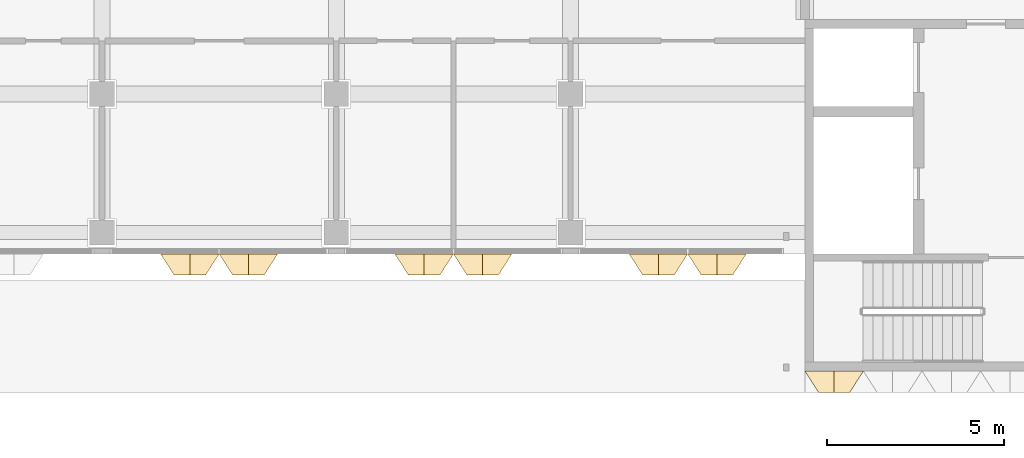
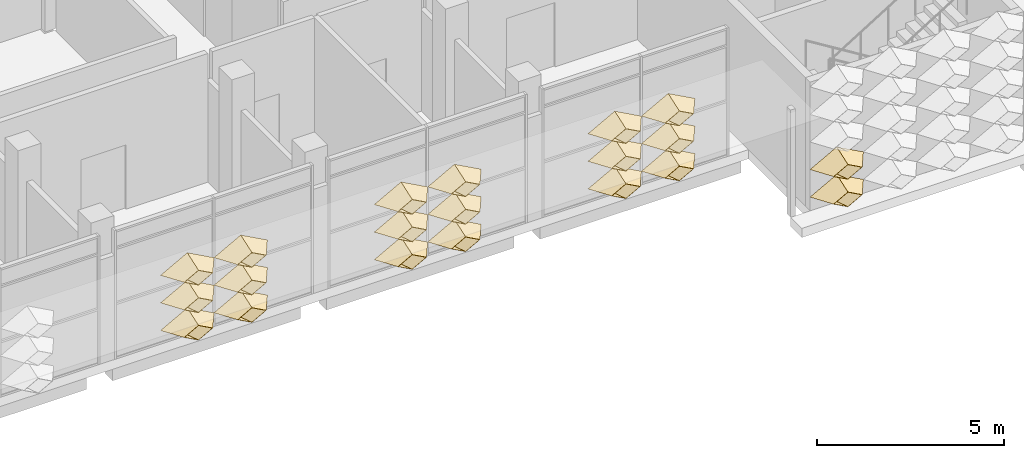
# One storey, part 67 of 109: 20 coverings.
"""IFC4 building model written with IfcOpenShell, lengths in metres."""

from ifc_helpers import new_model, entity, si_unit, direction, frame, origin, place, context, subcontext, project, spatial, material, layer, layer_set, type_object, element, save


model = new_model("IFC4")

# Units and contexts
model_context = context("Model", 3, precision=1e-05, world=origin(), true_north=direction((0.0, 1.0)))
body_context = subcontext(model_context, "Body", "Model", "MODEL_VIEW")
ifc_project = project(units=[si_unit("LENGTHUNIT", "METRE"), si_unit("AREAUNIT", "SQUARE_METRE"), si_unit("VOLUMEUNIT", "CUBIC_METRE"), si_unit("PLANEANGLEUNIT", "RADIAN"), si_unit("MASSUNIT", "GRAM", prefix="KILO")], contexts=[model_context])

# Site, building, storey
site_placement = place(None, origin())
site = spatial("IfcSite", under=ifc_project, at=site_placement, CompositionType="ELEMENT")
building_placement = place(site_placement, origin())
building = spatial("IfcBuilding", under=site, at=building_placement, Name="Lantern Court Research Institute", CompositionType="ELEMENT")
storey_placement = place(building_placement, frame((0.0, 0.0, 14.39990234375)))
storey = spatial("IfcBuildingStorey", under=building, at=storey_placement, Name="L03", CompositionType="ELEMENT", Elevation=14.39990234375)

# Coverings
ifc_material = material(Name="Anodised aluminium", Category="aluminium")
ifc_layer = layer(ifc_material, 0.01611328125)
ifc_layer_set = layer_set([ifc_layer], Name="Anodised aluminium")
covering_type = type_object("IfcCoveringType", Name="Fin cassette 1650 x 900 x 600 aluminium", PredefinedType="CLADDING", material=ifc_layer_set)
covering_1_placement = place(storey_placement, frame((35.47509765625, -4.5, 0.4501953125), z_axis=(0.0, -1.0, 0.0), x_axis=(1.0, 0.0, 0.0)))
cartesian_point_1 = entity("IfcCartesianPoint", [0.824951171875, 0.0])
cartesian_point_2 = entity("IfcCartesianPoint", [0.79150390625, 0.0])
cartesian_point_3 = entity("IfcCartesianPoint", [0.44189453125, 0.0])
cartesian_point_4 = entity("IfcCartesianPoint", [0.43359375, 0.0])
element("IfcCovering", 1, at=covering_1_placement, inside=storey, type_object=covering_type, Name="Fin cassette V4S-L03 1.22", PredefinedType="CLADDING", context=body_context, shape_type="SweptSolid", body=[
    entity("IfcExtrudedAreaSolidTapered", entity("IfcArbitraryProfileDefWithVoids", "AREA", None, entity("IfcPolyline", [cartesian_point_1, entity("IfcCartesianPoint", [0.0, 0.449951171875]), entity("IfcCartesianPoint", [-0.824951171875, 0.0]), entity("IfcCartesianPoint", [0.0, -0.449951171875]), cartesian_point_1]), [entity("IfcPolyline", [cartesian_point_2, entity("IfcCartesianPoint", [0.0, 0.431884765625]), entity("IfcCartesianPoint", [-0.79150390625, 0.0]), entity("IfcCartesianPoint", [0.0, -0.431884765625]), cartesian_point_2])]), entity("IfcAxis2Placement3D", entity("IfcCartesianPoint", [0.0, 0.0, 0.0])), entity("IfcDirection", [0.0, 0.0, 1.0]), 0.60009765625, entity("IfcArbitraryProfileDefWithVoids", "AREA", None, entity("IfcPolyline", [cartesian_point_3, entity("IfcCartesianPoint", [0.0, 0.240966796875]), entity("IfcCartesianPoint", [-0.44189453125, 0.0]), entity("IfcCartesianPoint", [0.0, -0.240966796875]), cartesian_point_3]), [entity("IfcPolyline", [cartesian_point_4, entity("IfcCartesianPoint", [0.0, 0.236572265625]), entity("IfcCartesianPoint", [-0.43359375, 0.0]), entity("IfcCartesianPoint", [0.0, -0.236572265625]), cartesian_point_4])])),
])
covering_2_placement = place(storey_placement, frame((37.125, -4.5, 0.4501953125), z_axis=(0.0, -1.0, 0.0), x_axis=(1.0, 0.0, 0.0)))
cartesian_point_5 = entity("IfcCartesianPoint", [0.824951171875, 0.0])
cartesian_point_6 = entity("IfcCartesianPoint", [0.79150390625, 0.0])
cartesian_point_7 = entity("IfcCartesianPoint", [0.44189453125, 0.0])
cartesian_point_8 = entity("IfcCartesianPoint", [0.43359375, 0.0])
element("IfcCovering", 2, at=covering_2_placement, inside=storey, type_object=covering_type, Name="Fin cassette V4S-L03 1.23", PredefinedType="CLADDING", context=body_context, shape_type="SweptSolid", body=[
    entity("IfcExtrudedAreaSolidTapered", entity("IfcArbitraryProfileDefWithVoids", "AREA", None, entity("IfcPolyline", [cartesian_point_5, entity("IfcCartesianPoint", [0.0, 0.449951171875]), entity("IfcCartesianPoint", [-0.824951171875, 0.0]), entity("IfcCartesianPoint", [0.0, -0.449951171875]), cartesian_point_5]), [entity("IfcPolyline", [cartesian_point_6, entity("IfcCartesianPoint", [0.0, 0.431884765625]), entity("IfcCartesianPoint", [-0.79150390625, 0.0]), entity("IfcCartesianPoint", [0.0, -0.431884765625]), cartesian_point_6])]), entity("IfcAxis2Placement3D", entity("IfcCartesianPoint", [0.0, 0.0, 0.0])), entity("IfcDirection", [0.0, 0.0, 1.0]), 0.60009765625, entity("IfcArbitraryProfileDefWithVoids", "AREA", None, entity("IfcPolyline", [cartesian_point_7, entity("IfcCartesianPoint", [0.0, 0.240966796875]), entity("IfcCartesianPoint", [-0.44189453125, 0.0]), entity("IfcCartesianPoint", [0.0, -0.240966796875]), cartesian_point_7]), [entity("IfcPolyline", [cartesian_point_8, entity("IfcCartesianPoint", [0.0, 0.236572265625]), entity("IfcCartesianPoint", [-0.43359375, 0.0]), entity("IfcCartesianPoint", [0.0, -0.236572265625]), cartesian_point_8])])),
])
covering_3_placement = place(storey_placement, frame((42.074951171875, -4.5, 0.4501953125), z_axis=(0.0, -1.0, 0.0), x_axis=(1.0, 0.0, 0.0)))
cartesian_point_9 = entity("IfcCartesianPoint", [0.824951171875, 0.0])
cartesian_point_10 = entity("IfcCartesianPoint", [0.79150390625, 0.0])
cartesian_point_11 = entity("IfcCartesianPoint", [0.44189453125, 0.0])
cartesian_point_12 = entity("IfcCartesianPoint", [0.43359375, 0.0])
element("IfcCovering", 3, at=covering_3_placement, inside=storey, type_object=covering_type, Name="Fin cassette V4S-L03 1.26", PredefinedType="CLADDING", context=body_context, shape_type="SweptSolid", body=[
    entity("IfcExtrudedAreaSolidTapered", entity("IfcArbitraryProfileDefWithVoids", "AREA", None, entity("IfcPolyline", [cartesian_point_9, entity("IfcCartesianPoint", [0.0, 0.449951171875]), entity("IfcCartesianPoint", [-0.824951171875, 0.0]), entity("IfcCartesianPoint", [0.0, -0.449951171875]), cartesian_point_9]), [entity("IfcPolyline", [cartesian_point_10, entity("IfcCartesianPoint", [0.0, 0.431884765625]), entity("IfcCartesianPoint", [-0.79150390625, 0.0]), entity("IfcCartesianPoint", [0.0, -0.431884765625]), cartesian_point_10])]), entity("IfcAxis2Placement3D", entity("IfcCartesianPoint", [0.0, 0.0, 0.0])), entity("IfcDirection", [0.0, 0.0, 1.0]), 0.60009765625, entity("IfcArbitraryProfileDefWithVoids", "AREA", None, entity("IfcPolyline", [cartesian_point_11, entity("IfcCartesianPoint", [0.0, 0.240966796875]), entity("IfcCartesianPoint", [-0.44189453125, 0.0]), entity("IfcCartesianPoint", [0.0, -0.240966796875]), cartesian_point_11]), [entity("IfcPolyline", [cartesian_point_12, entity("IfcCartesianPoint", [0.0, 0.236572265625]), entity("IfcCartesianPoint", [-0.43359375, 0.0]), entity("IfcCartesianPoint", [0.0, -0.236572265625]), cartesian_point_12])])),
])
covering_4_placement = place(storey_placement, frame((43.72509765625, -4.5, 0.4501953125), z_axis=(0.0, -1.0, 0.0), x_axis=(1.0, 0.0, 0.0)))
cartesian_point_13 = entity("IfcCartesianPoint", [0.824951171875, 0.0])
cartesian_point_14 = entity("IfcCartesianPoint", [0.79150390625, 0.0])
cartesian_point_15 = entity("IfcCartesianPoint", [0.44189453125, 0.0])
cartesian_point_16 = entity("IfcCartesianPoint", [0.43359375, 0.0])
element("IfcCovering", 4, at=covering_4_placement, inside=storey, type_object=covering_type, Name="Fin cassette V4S-L03 1.27", PredefinedType="CLADDING", context=body_context, shape_type="SweptSolid", body=[
    entity("IfcExtrudedAreaSolidTapered", entity("IfcArbitraryProfileDefWithVoids", "AREA", None, entity("IfcPolyline", [cartesian_point_13, entity("IfcCartesianPoint", [0.0, 0.449951171875]), entity("IfcCartesianPoint", [-0.824951171875, 0.0]), entity("IfcCartesianPoint", [0.0, -0.449951171875]), cartesian_point_13]), [entity("IfcPolyline", [cartesian_point_14, entity("IfcCartesianPoint", [0.0, 0.431884765625]), entity("IfcCartesianPoint", [-0.79150390625, 0.0]), entity("IfcCartesianPoint", [0.0, -0.431884765625]), cartesian_point_14])]), entity("IfcAxis2Placement3D", entity("IfcCartesianPoint", [0.0, 0.0, 0.0])), entity("IfcDirection", [0.0, 0.0, 1.0]), 0.60009765625, entity("IfcArbitraryProfileDefWithVoids", "AREA", None, entity("IfcPolyline", [cartesian_point_15, entity("IfcCartesianPoint", [0.0, 0.240966796875]), entity("IfcCartesianPoint", [-0.44189453125, 0.0]), entity("IfcCartesianPoint", [0.0, -0.240966796875]), cartesian_point_15]), [entity("IfcPolyline", [cartesian_point_16, entity("IfcCartesianPoint", [0.0, 0.236572265625]), entity("IfcCartesianPoint", [-0.43359375, 0.0]), entity("IfcCartesianPoint", [0.0, -0.236572265625]), cartesian_point_16])])),
])
covering_5_placement = place(storey_placement, frame((48.675048828125, -4.5, 0.4501953125), z_axis=(0.0, -1.0, 0.0), x_axis=(1.0, 0.0, 0.0)))
cartesian_point_17 = entity("IfcCartesianPoint", [0.824951171875, 0.0])
cartesian_point_18 = entity("IfcCartesianPoint", [0.79150390625, 0.0])
cartesian_point_19 = entity("IfcCartesianPoint", [0.44189453125, 0.0])
cartesian_point_20 = entity("IfcCartesianPoint", [0.43359375, 0.0])
element("IfcCovering", 5, at=covering_5_placement, inside=storey, type_object=covering_type, Name="Fin cassette V4S-L03 1.30", PredefinedType="CLADDING", context=body_context, shape_type="SweptSolid", body=[
    entity("IfcExtrudedAreaSolidTapered", entity("IfcArbitraryProfileDefWithVoids", "AREA", None, entity("IfcPolyline", [cartesian_point_17, entity("IfcCartesianPoint", [0.0, 0.449951171875]), entity("IfcCartesianPoint", [-0.824951171875, 0.0]), entity("IfcCartesianPoint", [0.0, -0.449951171875]), cartesian_point_17]), [entity("IfcPolyline", [cartesian_point_18, entity("IfcCartesianPoint", [0.0, 0.431884765625]), entity("IfcCartesianPoint", [-0.79150390625, 0.0]), entity("IfcCartesianPoint", [0.0, -0.431884765625]), cartesian_point_18])]), entity("IfcAxis2Placement3D", entity("IfcCartesianPoint", [0.0, 0.0, 0.0])), entity("IfcDirection", [0.0, 0.0, 1.0]), 0.60009765625, entity("IfcArbitraryProfileDefWithVoids", "AREA", None, entity("IfcPolyline", [cartesian_point_19, entity("IfcCartesianPoint", [0.0, 0.240966796875]), entity("IfcCartesianPoint", [-0.44189453125, 0.0]), entity("IfcCartesianPoint", [0.0, -0.240966796875]), cartesian_point_19]), [entity("IfcPolyline", [cartesian_point_20, entity("IfcCartesianPoint", [0.0, 0.236572265625]), entity("IfcCartesianPoint", [-0.43359375, 0.0]), entity("IfcCartesianPoint", [0.0, -0.236572265625]), cartesian_point_20])])),
])
covering_6_placement = place(storey_placement, frame((50.324951171875, -4.5, 0.4501953125), z_axis=(0.0, -1.0, 0.0), x_axis=(1.0, 0.0, 0.0)))
cartesian_point_21 = entity("IfcCartesianPoint", [0.824951171875, 0.0])
cartesian_point_22 = entity("IfcCartesianPoint", [0.79150390625, 0.0])
cartesian_point_23 = entity("IfcCartesianPoint", [0.44189453125, 0.0])
cartesian_point_24 = entity("IfcCartesianPoint", [0.43359375, 0.0])
element("IfcCovering", 6, at=covering_6_placement, inside=storey, type_object=covering_type, Name="Fin cassette V4S-L03 1.31", PredefinedType="CLADDING", context=body_context, shape_type="SweptSolid", body=[
    entity("IfcExtrudedAreaSolidTapered", entity("IfcArbitraryProfileDefWithVoids", "AREA", None, entity("IfcPolyline", [cartesian_point_21, entity("IfcCartesianPoint", [0.0, 0.449951171875]), entity("IfcCartesianPoint", [-0.824951171875, 0.0]), entity("IfcCartesianPoint", [0.0, -0.449951171875]), cartesian_point_21]), [entity("IfcPolyline", [cartesian_point_22, entity("IfcCartesianPoint", [0.0, 0.431884765625]), entity("IfcCartesianPoint", [-0.79150390625, 0.0]), entity("IfcCartesianPoint", [0.0, -0.431884765625]), cartesian_point_22])]), entity("IfcAxis2Placement3D", entity("IfcCartesianPoint", [0.0, 0.0, 0.0])), entity("IfcDirection", [0.0, 0.0, 1.0]), 0.60009765625, entity("IfcArbitraryProfileDefWithVoids", "AREA", None, entity("IfcPolyline", [cartesian_point_23, entity("IfcCartesianPoint", [0.0, 0.240966796875]), entity("IfcCartesianPoint", [-0.44189453125, 0.0]), entity("IfcCartesianPoint", [0.0, -0.240966796875]), cartesian_point_23]), [entity("IfcPolyline", [cartesian_point_24, entity("IfcCartesianPoint", [0.0, 0.236572265625]), entity("IfcCartesianPoint", [-0.43359375, 0.0]), entity("IfcCartesianPoint", [0.0, -0.236572265625]), cartesian_point_24])])),
])
covering_7_placement = place(storey_placement, frame((35.47509765625, -4.5, 1.35009765625), z_axis=(0.0, -1.0, 0.0), x_axis=(1.0, 0.0, 0.0)))
cartesian_point_25 = entity("IfcCartesianPoint", [0.824951171875, 0.0])
cartesian_point_26 = entity("IfcCartesianPoint", [0.79150390625, 0.0])
cartesian_point_27 = entity("IfcCartesianPoint", [0.44189453125, 0.0])
cartesian_point_28 = entity("IfcCartesianPoint", [0.43359375, 0.0])
element("IfcCovering", 7, at=covering_7_placement, inside=storey, type_object=covering_type, Name="Fin cassette V4S-L03 2.22", PredefinedType="CLADDING", context=body_context, shape_type="SweptSolid", body=[
    entity("IfcExtrudedAreaSolidTapered", entity("IfcArbitraryProfileDefWithVoids", "AREA", None, entity("IfcPolyline", [cartesian_point_25, entity("IfcCartesianPoint", [0.0, 0.449951171875]), entity("IfcCartesianPoint", [-0.824951171875, 0.0]), entity("IfcCartesianPoint", [0.0, -0.449951171875]), cartesian_point_25]), [entity("IfcPolyline", [cartesian_point_26, entity("IfcCartesianPoint", [0.0, 0.431884765625]), entity("IfcCartesianPoint", [-0.79150390625, 0.0]), entity("IfcCartesianPoint", [0.0, -0.431884765625]), cartesian_point_26])]), entity("IfcAxis2Placement3D", entity("IfcCartesianPoint", [0.0, 0.0, 0.0])), entity("IfcDirection", [0.0, 0.0, 1.0]), 0.60009765625, entity("IfcArbitraryProfileDefWithVoids", "AREA", None, entity("IfcPolyline", [cartesian_point_27, entity("IfcCartesianPoint", [0.0, 0.240966796875]), entity("IfcCartesianPoint", [-0.44189453125, 0.0]), entity("IfcCartesianPoint", [0.0, -0.240966796875]), cartesian_point_27]), [entity("IfcPolyline", [cartesian_point_28, entity("IfcCartesianPoint", [0.0, 0.236572265625]), entity("IfcCartesianPoint", [-0.43359375, 0.0]), entity("IfcCartesianPoint", [0.0, -0.236572265625]), cartesian_point_28])])),
])
covering_8_placement = place(storey_placement, frame((37.125, -4.5, 1.35009765625), z_axis=(0.0, -1.0, 0.0), x_axis=(1.0, 0.0, 0.0)))
cartesian_point_29 = entity("IfcCartesianPoint", [0.824951171875, 0.0])
cartesian_point_30 = entity("IfcCartesianPoint", [0.79150390625, 0.0])
cartesian_point_31 = entity("IfcCartesianPoint", [0.44189453125, 0.0])
cartesian_point_32 = entity("IfcCartesianPoint", [0.43359375, 0.0])
element("IfcCovering", 8, at=covering_8_placement, inside=storey, type_object=covering_type, Name="Fin cassette V4S-L03 2.23", PredefinedType="CLADDING", context=body_context, shape_type="SweptSolid", body=[
    entity("IfcExtrudedAreaSolidTapered", entity("IfcArbitraryProfileDefWithVoids", "AREA", None, entity("IfcPolyline", [cartesian_point_29, entity("IfcCartesianPoint", [0.0, 0.449951171875]), entity("IfcCartesianPoint", [-0.824951171875, 0.0]), entity("IfcCartesianPoint", [0.0, -0.449951171875]), cartesian_point_29]), [entity("IfcPolyline", [cartesian_point_30, entity("IfcCartesianPoint", [0.0, 0.431884765625]), entity("IfcCartesianPoint", [-0.79150390625, 0.0]), entity("IfcCartesianPoint", [0.0, -0.431884765625]), cartesian_point_30])]), entity("IfcAxis2Placement3D", entity("IfcCartesianPoint", [0.0, 0.0, 0.0])), entity("IfcDirection", [0.0, 0.0, 1.0]), 0.60009765625, entity("IfcArbitraryProfileDefWithVoids", "AREA", None, entity("IfcPolyline", [cartesian_point_31, entity("IfcCartesianPoint", [0.0, 0.240966796875]), entity("IfcCartesianPoint", [-0.44189453125, 0.0]), entity("IfcCartesianPoint", [0.0, -0.240966796875]), cartesian_point_31]), [entity("IfcPolyline", [cartesian_point_32, entity("IfcCartesianPoint", [0.0, 0.236572265625]), entity("IfcCartesianPoint", [-0.43359375, 0.0]), entity("IfcCartesianPoint", [0.0, -0.236572265625]), cartesian_point_32])])),
])
covering_9_placement = place(storey_placement, frame((42.074951171875, -4.5, 1.35009765625), z_axis=(0.0, -1.0, 0.0), x_axis=(1.0, 0.0, 0.0)))
cartesian_point_33 = entity("IfcCartesianPoint", [0.824951171875, 0.0])
cartesian_point_34 = entity("IfcCartesianPoint", [0.79150390625, 0.0])
cartesian_point_35 = entity("IfcCartesianPoint", [0.44189453125, 0.0])
cartesian_point_36 = entity("IfcCartesianPoint", [0.43359375, 0.0])
element("IfcCovering", 9, at=covering_9_placement, inside=storey, type_object=covering_type, Name="Fin cassette V4S-L03 2.26", PredefinedType="CLADDING", context=body_context, shape_type="SweptSolid", body=[
    entity("IfcExtrudedAreaSolidTapered", entity("IfcArbitraryProfileDefWithVoids", "AREA", None, entity("IfcPolyline", [cartesian_point_33, entity("IfcCartesianPoint", [0.0, 0.449951171875]), entity("IfcCartesianPoint", [-0.824951171875, 0.0]), entity("IfcCartesianPoint", [0.0, -0.449951171875]), cartesian_point_33]), [entity("IfcPolyline", [cartesian_point_34, entity("IfcCartesianPoint", [0.0, 0.431884765625]), entity("IfcCartesianPoint", [-0.79150390625, 0.0]), entity("IfcCartesianPoint", [0.0, -0.431884765625]), cartesian_point_34])]), entity("IfcAxis2Placement3D", entity("IfcCartesianPoint", [0.0, 0.0, 0.0])), entity("IfcDirection", [0.0, 0.0, 1.0]), 0.60009765625, entity("IfcArbitraryProfileDefWithVoids", "AREA", None, entity("IfcPolyline", [cartesian_point_35, entity("IfcCartesianPoint", [0.0, 0.240966796875]), entity("IfcCartesianPoint", [-0.44189453125, 0.0]), entity("IfcCartesianPoint", [0.0, -0.240966796875]), cartesian_point_35]), [entity("IfcPolyline", [cartesian_point_36, entity("IfcCartesianPoint", [0.0, 0.236572265625]), entity("IfcCartesianPoint", [-0.43359375, 0.0]), entity("IfcCartesianPoint", [0.0, -0.236572265625]), cartesian_point_36])])),
])
covering_10_placement = place(storey_placement, frame((43.72509765625, -4.5, 1.35009765625), z_axis=(0.0, -1.0, 0.0), x_axis=(1.0, 0.0, 0.0)))
cartesian_point_37 = entity("IfcCartesianPoint", [0.824951171875, 0.0])
cartesian_point_38 = entity("IfcCartesianPoint", [0.79150390625, 0.0])
cartesian_point_39 = entity("IfcCartesianPoint", [0.44189453125, 0.0])
cartesian_point_40 = entity("IfcCartesianPoint", [0.43359375, 0.0])
element("IfcCovering", 10, at=covering_10_placement, inside=storey, type_object=covering_type, Name="Fin cassette V4S-L03 2.27", PredefinedType="CLADDING", context=body_context, shape_type="SweptSolid", body=[
    entity("IfcExtrudedAreaSolidTapered", entity("IfcArbitraryProfileDefWithVoids", "AREA", None, entity("IfcPolyline", [cartesian_point_37, entity("IfcCartesianPoint", [0.0, 0.449951171875]), entity("IfcCartesianPoint", [-0.824951171875, 0.0]), entity("IfcCartesianPoint", [0.0, -0.449951171875]), cartesian_point_37]), [entity("IfcPolyline", [cartesian_point_38, entity("IfcCartesianPoint", [0.0, 0.431884765625]), entity("IfcCartesianPoint", [-0.79150390625, 0.0]), entity("IfcCartesianPoint", [0.0, -0.431884765625]), cartesian_point_38])]), entity("IfcAxis2Placement3D", entity("IfcCartesianPoint", [0.0, 0.0, 0.0])), entity("IfcDirection", [0.0, 0.0, 1.0]), 0.60009765625, entity("IfcArbitraryProfileDefWithVoids", "AREA", None, entity("IfcPolyline", [cartesian_point_39, entity("IfcCartesianPoint", [0.0, 0.240966796875]), entity("IfcCartesianPoint", [-0.44189453125, 0.0]), entity("IfcCartesianPoint", [0.0, -0.240966796875]), cartesian_point_39]), [entity("IfcPolyline", [cartesian_point_40, entity("IfcCartesianPoint", [0.0, 0.236572265625]), entity("IfcCartesianPoint", [-0.43359375, 0.0]), entity("IfcCartesianPoint", [0.0, -0.236572265625]), cartesian_point_40])])),
])
covering_11_placement = place(storey_placement, frame((48.675048828125, -4.5, 1.35009765625), z_axis=(0.0, -1.0, 0.0), x_axis=(1.0, 0.0, 0.0)))
cartesian_point_41 = entity("IfcCartesianPoint", [0.824951171875, 0.0])
cartesian_point_42 = entity("IfcCartesianPoint", [0.79150390625, 0.0])
cartesian_point_43 = entity("IfcCartesianPoint", [0.44189453125, 0.0])
cartesian_point_44 = entity("IfcCartesianPoint", [0.43359375, 0.0])
element("IfcCovering", 11, at=covering_11_placement, inside=storey, type_object=covering_type, Name="Fin cassette V4S-L03 2.30", PredefinedType="CLADDING", context=body_context, shape_type="SweptSolid", body=[
    entity("IfcExtrudedAreaSolidTapered", entity("IfcArbitraryProfileDefWithVoids", "AREA", None, entity("IfcPolyline", [cartesian_point_41, entity("IfcCartesianPoint", [0.0, 0.449951171875]), entity("IfcCartesianPoint", [-0.824951171875, 0.0]), entity("IfcCartesianPoint", [0.0, -0.449951171875]), cartesian_point_41]), [entity("IfcPolyline", [cartesian_point_42, entity("IfcCartesianPoint", [0.0, 0.431884765625]), entity("IfcCartesianPoint", [-0.79150390625, 0.0]), entity("IfcCartesianPoint", [0.0, -0.431884765625]), cartesian_point_42])]), entity("IfcAxis2Placement3D", entity("IfcCartesianPoint", [0.0, 0.0, 0.0])), entity("IfcDirection", [0.0, 0.0, 1.0]), 0.60009765625, entity("IfcArbitraryProfileDefWithVoids", "AREA", None, entity("IfcPolyline", [cartesian_point_43, entity("IfcCartesianPoint", [0.0, 0.240966796875]), entity("IfcCartesianPoint", [-0.44189453125, 0.0]), entity("IfcCartesianPoint", [0.0, -0.240966796875]), cartesian_point_43]), [entity("IfcPolyline", [cartesian_point_44, entity("IfcCartesianPoint", [0.0, 0.236572265625]), entity("IfcCartesianPoint", [-0.43359375, 0.0]), entity("IfcCartesianPoint", [0.0, -0.236572265625]), cartesian_point_44])])),
])
covering_12_placement = place(storey_placement, frame((50.324951171875, -4.5, 1.35009765625), z_axis=(0.0, -1.0, 0.0), x_axis=(1.0, 0.0, 0.0)))
cartesian_point_45 = entity("IfcCartesianPoint", [0.824951171875, 0.0])
cartesian_point_46 = entity("IfcCartesianPoint", [0.79150390625, 0.0])
cartesian_point_47 = entity("IfcCartesianPoint", [0.44189453125, 0.0])
cartesian_point_48 = entity("IfcCartesianPoint", [0.43359375, 0.0])
element("IfcCovering", 12, at=covering_12_placement, inside=storey, type_object=covering_type, Name="Fin cassette V4S-L03 2.31", PredefinedType="CLADDING", context=body_context, shape_type="SweptSolid", body=[
    entity("IfcExtrudedAreaSolidTapered", entity("IfcArbitraryProfileDefWithVoids", "AREA", None, entity("IfcPolyline", [cartesian_point_45, entity("IfcCartesianPoint", [0.0, 0.449951171875]), entity("IfcCartesianPoint", [-0.824951171875, 0.0]), entity("IfcCartesianPoint", [0.0, -0.449951171875]), cartesian_point_45]), [entity("IfcPolyline", [cartesian_point_46, entity("IfcCartesianPoint", [0.0, 0.431884765625]), entity("IfcCartesianPoint", [-0.79150390625, 0.0]), entity("IfcCartesianPoint", [0.0, -0.431884765625]), cartesian_point_46])]), entity("IfcAxis2Placement3D", entity("IfcCartesianPoint", [0.0, 0.0, 0.0])), entity("IfcDirection", [0.0, 0.0, 1.0]), 0.60009765625, entity("IfcArbitraryProfileDefWithVoids", "AREA", None, entity("IfcPolyline", [cartesian_point_47, entity("IfcCartesianPoint", [0.0, 0.240966796875]), entity("IfcCartesianPoint", [-0.44189453125, 0.0]), entity("IfcCartesianPoint", [0.0, -0.240966796875]), cartesian_point_47]), [entity("IfcPolyline", [cartesian_point_48, entity("IfcCartesianPoint", [0.0, 0.236572265625]), entity("IfcCartesianPoint", [-0.43359375, 0.0]), entity("IfcCartesianPoint", [0.0, -0.236572265625]), cartesian_point_48])])),
])
covering_13_placement = place(storey_placement, frame((35.47509765625, -4.5, 2.25), z_axis=(0.0, -1.0, 0.0), x_axis=(1.0, 0.0, 0.0)))
cartesian_point_49 = entity("IfcCartesianPoint", [0.824951171875, 0.0])
cartesian_point_50 = entity("IfcCartesianPoint", [0.79150390625, 0.0])
cartesian_point_51 = entity("IfcCartesianPoint", [0.44189453125, 0.0])
cartesian_point_52 = entity("IfcCartesianPoint", [0.43359375, 0.0])
element("IfcCovering", 13, at=covering_13_placement, inside=storey, type_object=covering_type, Name="Fin cassette V4S-L03 3.22", PredefinedType="CLADDING", context=body_context, shape_type="SweptSolid", body=[
    entity("IfcExtrudedAreaSolidTapered", entity("IfcArbitraryProfileDefWithVoids", "AREA", None, entity("IfcPolyline", [cartesian_point_49, entity("IfcCartesianPoint", [0.0, 0.449951171875]), entity("IfcCartesianPoint", [-0.824951171875, 0.0]), entity("IfcCartesianPoint", [0.0, -0.449951171875]), cartesian_point_49]), [entity("IfcPolyline", [cartesian_point_50, entity("IfcCartesianPoint", [0.0, 0.431884765625]), entity("IfcCartesianPoint", [-0.79150390625, 0.0]), entity("IfcCartesianPoint", [0.0, -0.431884765625]), cartesian_point_50])]), entity("IfcAxis2Placement3D", entity("IfcCartesianPoint", [0.0, 0.0, 0.0])), entity("IfcDirection", [0.0, 0.0, 1.0]), 0.60009765625, entity("IfcArbitraryProfileDefWithVoids", "AREA", None, entity("IfcPolyline", [cartesian_point_51, entity("IfcCartesianPoint", [0.0, 0.240966796875]), entity("IfcCartesianPoint", [-0.44189453125, 0.0]), entity("IfcCartesianPoint", [0.0, -0.240966796875]), cartesian_point_51]), [entity("IfcPolyline", [cartesian_point_52, entity("IfcCartesianPoint", [0.0, 0.236572265625]), entity("IfcCartesianPoint", [-0.43359375, 0.0]), entity("IfcCartesianPoint", [0.0, -0.236572265625]), cartesian_point_52])])),
])
covering_14_placement = place(storey_placement, frame((37.125, -4.5, 2.25), z_axis=(0.0, -1.0, 0.0), x_axis=(1.0, 0.0, 0.0)))
cartesian_point_53 = entity("IfcCartesianPoint", [0.824951171875, 0.0])
cartesian_point_54 = entity("IfcCartesianPoint", [0.79150390625, 0.0])
cartesian_point_55 = entity("IfcCartesianPoint", [0.44189453125, 0.0])
cartesian_point_56 = entity("IfcCartesianPoint", [0.43359375, 0.0])
element("IfcCovering", 14, at=covering_14_placement, inside=storey, type_object=covering_type, Name="Fin cassette V4S-L03 3.23", PredefinedType="CLADDING", context=body_context, shape_type="SweptSolid", body=[
    entity("IfcExtrudedAreaSolidTapered", entity("IfcArbitraryProfileDefWithVoids", "AREA", None, entity("IfcPolyline", [cartesian_point_53, entity("IfcCartesianPoint", [0.0, 0.449951171875]), entity("IfcCartesianPoint", [-0.824951171875, 0.0]), entity("IfcCartesianPoint", [0.0, -0.449951171875]), cartesian_point_53]), [entity("IfcPolyline", [cartesian_point_54, entity("IfcCartesianPoint", [0.0, 0.431884765625]), entity("IfcCartesianPoint", [-0.79150390625, 0.0]), entity("IfcCartesianPoint", [0.0, -0.431884765625]), cartesian_point_54])]), entity("IfcAxis2Placement3D", entity("IfcCartesianPoint", [0.0, 0.0, 0.0])), entity("IfcDirection", [0.0, 0.0, 1.0]), 0.60009765625, entity("IfcArbitraryProfileDefWithVoids", "AREA", None, entity("IfcPolyline", [cartesian_point_55, entity("IfcCartesianPoint", [0.0, 0.240966796875]), entity("IfcCartesianPoint", [-0.44189453125, 0.0]), entity("IfcCartesianPoint", [0.0, -0.240966796875]), cartesian_point_55]), [entity("IfcPolyline", [cartesian_point_56, entity("IfcCartesianPoint", [0.0, 0.236572265625]), entity("IfcCartesianPoint", [-0.43359375, 0.0]), entity("IfcCartesianPoint", [0.0, -0.236572265625]), cartesian_point_56])])),
])
covering_15_placement = place(storey_placement, frame((42.074951171875, -4.5, 2.25), z_axis=(0.0, -1.0, 0.0), x_axis=(1.0, 0.0, 0.0)))
cartesian_point_57 = entity("IfcCartesianPoint", [0.824951171875, 0.0])
cartesian_point_58 = entity("IfcCartesianPoint", [0.79150390625, 0.0])
cartesian_point_59 = entity("IfcCartesianPoint", [0.44189453125, 0.0])
cartesian_point_60 = entity("IfcCartesianPoint", [0.43359375, 0.0])
element("IfcCovering", 15, at=covering_15_placement, inside=storey, type_object=covering_type, Name="Fin cassette V4S-L03 3.26", PredefinedType="CLADDING", context=body_context, shape_type="SweptSolid", body=[
    entity("IfcExtrudedAreaSolidTapered", entity("IfcArbitraryProfileDefWithVoids", "AREA", None, entity("IfcPolyline", [cartesian_point_57, entity("IfcCartesianPoint", [0.0, 0.449951171875]), entity("IfcCartesianPoint", [-0.824951171875, 0.0]), entity("IfcCartesianPoint", [0.0, -0.449951171875]), cartesian_point_57]), [entity("IfcPolyline", [cartesian_point_58, entity("IfcCartesianPoint", [0.0, 0.431884765625]), entity("IfcCartesianPoint", [-0.79150390625, 0.0]), entity("IfcCartesianPoint", [0.0, -0.431884765625]), cartesian_point_58])]), entity("IfcAxis2Placement3D", entity("IfcCartesianPoint", [0.0, 0.0, 0.0])), entity("IfcDirection", [0.0, 0.0, 1.0]), 0.60009765625, entity("IfcArbitraryProfileDefWithVoids", "AREA", None, entity("IfcPolyline", [cartesian_point_59, entity("IfcCartesianPoint", [0.0, 0.240966796875]), entity("IfcCartesianPoint", [-0.44189453125, 0.0]), entity("IfcCartesianPoint", [0.0, -0.240966796875]), cartesian_point_59]), [entity("IfcPolyline", [cartesian_point_60, entity("IfcCartesianPoint", [0.0, 0.236572265625]), entity("IfcCartesianPoint", [-0.43359375, 0.0]), entity("IfcCartesianPoint", [0.0, -0.236572265625]), cartesian_point_60])])),
])
covering_16_placement = place(storey_placement, frame((43.72509765625, -4.5, 2.25), z_axis=(0.0, -1.0, 0.0), x_axis=(1.0, 0.0, 0.0)))
cartesian_point_61 = entity("IfcCartesianPoint", [0.824951171875, 0.0])
cartesian_point_62 = entity("IfcCartesianPoint", [0.79150390625, 0.0])
cartesian_point_63 = entity("IfcCartesianPoint", [0.44189453125, 0.0])
cartesian_point_64 = entity("IfcCartesianPoint", [0.43359375, 0.0])
element("IfcCovering", 16, at=covering_16_placement, inside=storey, type_object=covering_type, Name="Fin cassette V4S-L03 3.27", PredefinedType="CLADDING", context=body_context, shape_type="SweptSolid", body=[
    entity("IfcExtrudedAreaSolidTapered", entity("IfcArbitraryProfileDefWithVoids", "AREA", None, entity("IfcPolyline", [cartesian_point_61, entity("IfcCartesianPoint", [0.0, 0.449951171875]), entity("IfcCartesianPoint", [-0.824951171875, 0.0]), entity("IfcCartesianPoint", [0.0, -0.449951171875]), cartesian_point_61]), [entity("IfcPolyline", [cartesian_point_62, entity("IfcCartesianPoint", [0.0, 0.431884765625]), entity("IfcCartesianPoint", [-0.79150390625, 0.0]), entity("IfcCartesianPoint", [0.0, -0.431884765625]), cartesian_point_62])]), entity("IfcAxis2Placement3D", entity("IfcCartesianPoint", [0.0, 0.0, 0.0])), entity("IfcDirection", [0.0, 0.0, 1.0]), 0.60009765625, entity("IfcArbitraryProfileDefWithVoids", "AREA", None, entity("IfcPolyline", [cartesian_point_63, entity("IfcCartesianPoint", [0.0, 0.240966796875]), entity("IfcCartesianPoint", [-0.44189453125, 0.0]), entity("IfcCartesianPoint", [0.0, -0.240966796875]), cartesian_point_63]), [entity("IfcPolyline", [cartesian_point_64, entity("IfcCartesianPoint", [0.0, 0.236572265625]), entity("IfcCartesianPoint", [-0.43359375, 0.0]), entity("IfcCartesianPoint", [0.0, -0.236572265625]), cartesian_point_64])])),
])
covering_17_placement = place(storey_placement, frame((48.675048828125, -4.5, 2.25), z_axis=(0.0, -1.0, 0.0), x_axis=(1.0, 0.0, 0.0)))
cartesian_point_65 = entity("IfcCartesianPoint", [0.824951171875, 0.0])
cartesian_point_66 = entity("IfcCartesianPoint", [0.79150390625, 0.0])
cartesian_point_67 = entity("IfcCartesianPoint", [0.44189453125, 0.0])
cartesian_point_68 = entity("IfcCartesianPoint", [0.43359375, 0.0])
element("IfcCovering", 17, at=covering_17_placement, inside=storey, type_object=covering_type, Name="Fin cassette V4S-L03 3.30", PredefinedType="CLADDING", context=body_context, shape_type="SweptSolid", body=[
    entity("IfcExtrudedAreaSolidTapered", entity("IfcArbitraryProfileDefWithVoids", "AREA", None, entity("IfcPolyline", [cartesian_point_65, entity("IfcCartesianPoint", [0.0, 0.449951171875]), entity("IfcCartesianPoint", [-0.824951171875, 0.0]), entity("IfcCartesianPoint", [0.0, -0.449951171875]), cartesian_point_65]), [entity("IfcPolyline", [cartesian_point_66, entity("IfcCartesianPoint", [0.0, 0.431884765625]), entity("IfcCartesianPoint", [-0.79150390625, 0.0]), entity("IfcCartesianPoint", [0.0, -0.431884765625]), cartesian_point_66])]), entity("IfcAxis2Placement3D", entity("IfcCartesianPoint", [0.0, 0.0, 0.0])), entity("IfcDirection", [0.0, 0.0, 1.0]), 0.60009765625, entity("IfcArbitraryProfileDefWithVoids", "AREA", None, entity("IfcPolyline", [cartesian_point_67, entity("IfcCartesianPoint", [0.0, 0.240966796875]), entity("IfcCartesianPoint", [-0.44189453125, 0.0]), entity("IfcCartesianPoint", [0.0, -0.240966796875]), cartesian_point_67]), [entity("IfcPolyline", [cartesian_point_68, entity("IfcCartesianPoint", [0.0, 0.236572265625]), entity("IfcCartesianPoint", [-0.43359375, 0.0]), entity("IfcCartesianPoint", [0.0, -0.236572265625]), cartesian_point_68])])),
])
covering_18_placement = place(storey_placement, frame((50.324951171875, -4.5, 2.25), z_axis=(0.0, -1.0, 0.0), x_axis=(1.0, 0.0, 0.0)))
cartesian_point_69 = entity("IfcCartesianPoint", [0.824951171875, 0.0])
cartesian_point_70 = entity("IfcCartesianPoint", [0.79150390625, 0.0])
cartesian_point_71 = entity("IfcCartesianPoint", [0.44189453125, 0.0])
cartesian_point_72 = entity("IfcCartesianPoint", [0.43359375, 0.0])
element("IfcCovering", 18, at=covering_18_placement, inside=storey, type_object=covering_type, Name="Fin cassette V4S-L03 3.31", PredefinedType="CLADDING", context=body_context, shape_type="SweptSolid", body=[
    entity("IfcExtrudedAreaSolidTapered", entity("IfcArbitraryProfileDefWithVoids", "AREA", None, entity("IfcPolyline", [cartesian_point_69, entity("IfcCartesianPoint", [0.0, 0.449951171875]), entity("IfcCartesianPoint", [-0.824951171875, 0.0]), entity("IfcCartesianPoint", [0.0, -0.449951171875]), cartesian_point_69]), [entity("IfcPolyline", [cartesian_point_70, entity("IfcCartesianPoint", [0.0, 0.431884765625]), entity("IfcCartesianPoint", [-0.79150390625, 0.0]), entity("IfcCartesianPoint", [0.0, -0.431884765625]), cartesian_point_70])]), entity("IfcAxis2Placement3D", entity("IfcCartesianPoint", [0.0, 0.0, 0.0])), entity("IfcDirection", [0.0, 0.0, 1.0]), 0.60009765625, entity("IfcArbitraryProfileDefWithVoids", "AREA", None, entity("IfcPolyline", [cartesian_point_71, entity("IfcCartesianPoint", [0.0, 0.240966796875]), entity("IfcCartesianPoint", [-0.44189453125, 0.0]), entity("IfcCartesianPoint", [0.0, -0.240966796875]), cartesian_point_71]), [entity("IfcPolyline", [cartesian_point_72, entity("IfcCartesianPoint", [0.0, 0.236572265625]), entity("IfcCartesianPoint", [-0.43359375, 0.0]), entity("IfcCartesianPoint", [0.0, -0.236572265625]), cartesian_point_72])])),
])
covering_19_placement = place(storey_placement, frame((53.625, -7.800048828125, 0.4501953125), z_axis=(0.0, -1.0, 0.0), x_axis=(1.0, 0.0, 0.0)))
cartesian_point_73 = entity("IfcCartesianPoint", [0.824951171875, 0.0])
cartesian_point_74 = entity("IfcCartesianPoint", [0.79150390625, 0.0])
cartesian_point_75 = entity("IfcCartesianPoint", [0.44189453125, 0.0])
cartesian_point_76 = entity("IfcCartesianPoint", [0.43359375, 0.0])
element("IfcCovering", 19, at=covering_19_placement, inside=storey, type_object=covering_type, Name="Fin cassette V5S-L03 1.33", PredefinedType="CLADDING", context=body_context, shape_type="SweptSolid", body=[
    entity("IfcExtrudedAreaSolidTapered", entity("IfcArbitraryProfileDefWithVoids", "AREA", None, entity("IfcPolyline", [cartesian_point_73, entity("IfcCartesianPoint", [0.0, 0.449951171875]), entity("IfcCartesianPoint", [-0.824951171875, 0.0]), entity("IfcCartesianPoint", [0.0, -0.449951171875]), cartesian_point_73]), [entity("IfcPolyline", [cartesian_point_74, entity("IfcCartesianPoint", [0.0, 0.431884765625]), entity("IfcCartesianPoint", [-0.79150390625, 0.0]), entity("IfcCartesianPoint", [0.0, -0.431884765625]), cartesian_point_74])]), entity("IfcAxis2Placement3D", entity("IfcCartesianPoint", [0.0, 0.0, 0.0])), entity("IfcDirection", [0.0, 0.0, 1.0]), 0.60009765625, entity("IfcArbitraryProfileDefWithVoids", "AREA", None, entity("IfcPolyline", [cartesian_point_75, entity("IfcCartesianPoint", [0.0, 0.240966796875]), entity("IfcCartesianPoint", [-0.44189453125, 0.0]), entity("IfcCartesianPoint", [0.0, -0.240966796875]), cartesian_point_75]), [entity("IfcPolyline", [cartesian_point_76, entity("IfcCartesianPoint", [0.0, 0.236572265625]), entity("IfcCartesianPoint", [-0.43359375, 0.0]), entity("IfcCartesianPoint", [0.0, -0.236572265625]), cartesian_point_76])])),
])
covering_20_placement = place(storey_placement, frame((53.625, -7.800048828125, 1.35009765625), z_axis=(0.0, -1.0, 0.0), x_axis=(1.0, 0.0, 0.0)))
cartesian_point_77 = entity("IfcCartesianPoint", [0.824951171875, 0.0])
cartesian_point_78 = entity("IfcCartesianPoint", [0.79150390625, 0.0])
cartesian_point_79 = entity("IfcCartesianPoint", [0.44189453125, 0.0])
cartesian_point_80 = entity("IfcCartesianPoint", [0.43359375, 0.0])
element("IfcCovering", 20, at=covering_20_placement, inside=storey, type_object=covering_type, Name="Fin cassette V5S-L03 2.33", PredefinedType="CLADDING", context=body_context, shape_type="SweptSolid", body=[
    entity("IfcExtrudedAreaSolidTapered", entity("IfcArbitraryProfileDefWithVoids", "AREA", None, entity("IfcPolyline", [cartesian_point_77, entity("IfcCartesianPoint", [0.0, 0.449951171875]), entity("IfcCartesianPoint", [-0.824951171875, 0.0]), entity("IfcCartesianPoint", [0.0, -0.449951171875]), cartesian_point_77]), [entity("IfcPolyline", [cartesian_point_78, entity("IfcCartesianPoint", [0.0, 0.431884765625]), entity("IfcCartesianPoint", [-0.79150390625, 0.0]), entity("IfcCartesianPoint", [0.0, -0.431884765625]), cartesian_point_78])]), entity("IfcAxis2Placement3D", entity("IfcCartesianPoint", [0.0, 0.0, 0.0])), entity("IfcDirection", [0.0, 0.0, 1.0]), 0.60009765625, entity("IfcArbitraryProfileDefWithVoids", "AREA", None, entity("IfcPolyline", [cartesian_point_79, entity("IfcCartesianPoint", [0.0, 0.240966796875]), entity("IfcCartesianPoint", [-0.44189453125, 0.0]), entity("IfcCartesianPoint", [0.0, -0.240966796875]), cartesian_point_79]), [entity("IfcPolyline", [cartesian_point_80, entity("IfcCartesianPoint", [0.0, 0.236572265625]), entity("IfcCartesianPoint", [-0.43359375, 0.0]), entity("IfcCartesianPoint", [0.0, -0.236572265625]), cartesian_point_80])])),
])

save(model, "model.ifc")
